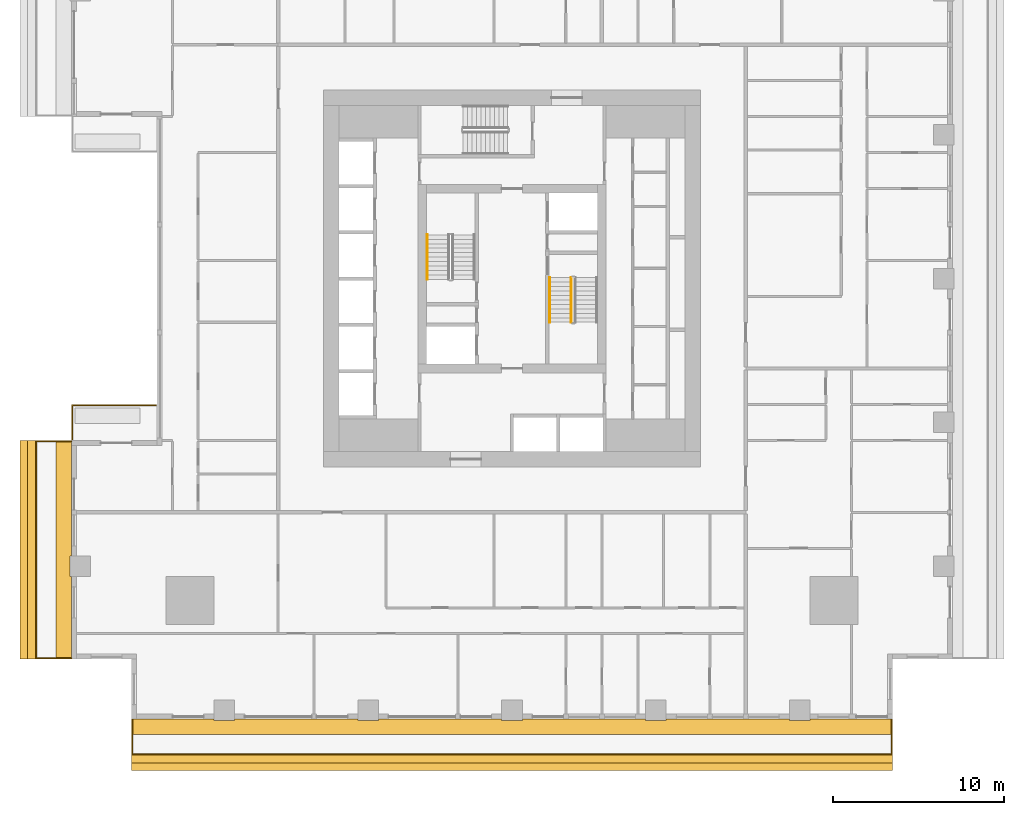
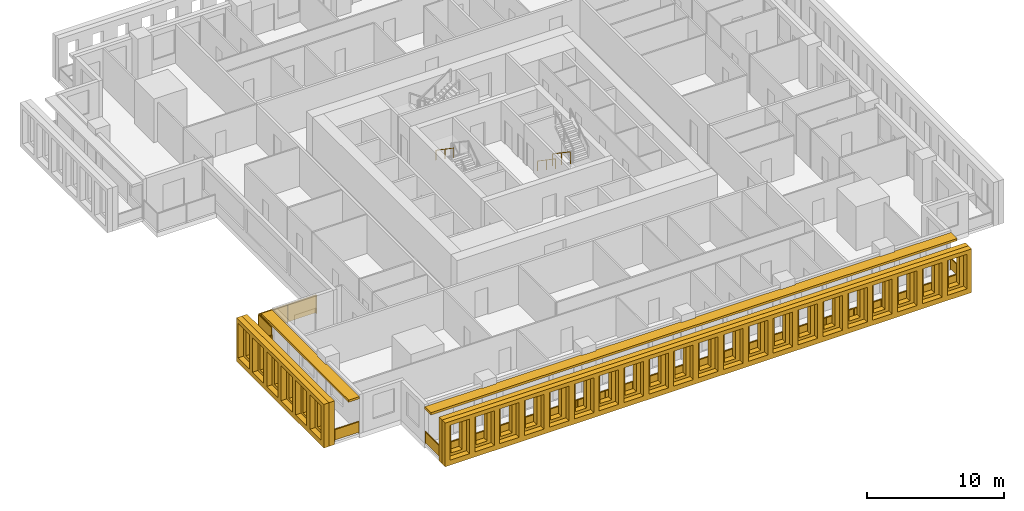
# One storey, part 10 of 14: 6 railings, 6 shading devices.
"""IFC4 building model written with IfcOpenShell, lengths in metres."""

from ifc_helpers import new_model, si_unit, direction, frame, origin, origin_2d, place, context, subcontext, project, spatial, polyline, rectangle, outline, extrude, material, layer, layer_set, type_object, element, save


model = new_model("IFC4")

# Units and contexts
model_context = context("Model", 3, precision=1e-05, world=origin(), true_north=direction((0.0, 1.0)))
body_context = subcontext(model_context, "Body", "Model", "MODEL_VIEW")
ifc_project = project(units=[si_unit("LENGTHUNIT", "METRE"), si_unit("AREAUNIT", "SQUARE_METRE"), si_unit("VOLUMEUNIT", "CUBIC_METRE"), si_unit("PLANEANGLEUNIT", "RADIAN"), si_unit("MASSUNIT", "GRAM", prefix="KILO")], contexts=[model_context])

# Site, building, storey
site_placement = place(None, origin())
site = spatial("IfcSite", under=ifc_project, at=site_placement, CompositionType="ELEMENT")
building_placement = place(site_placement, origin())
building = spatial("IfcBuilding", under=site, at=building_placement, Name="Khepri Terraces", CompositionType="ELEMENT")
storey_placement = place(building_placement, frame((0.0, 0.0, 102.60009765625)))
storey = spatial("IfcBuildingStorey", under=building, at=storey_placement, Name="L24", CompositionType="ELEMENT", Elevation=102.60009765625)

# Railings
ifc_material_1 = material(Name="Stainless steel grade 316", Category="steel")
railing_type_1 = type_object("IfcRailingType", Name="GRD-BAL-1100", PredefinedType="GUARDRAIL", material=ifc_material_1)
railing_1_placement = place(storey_placement, frame((-22.169921875, -25.719970703125, 0.0)))
element("IfcRailing", 1, at=railing_1_placement, inside=storey, type_object=railing_type_1, Name="Balcony guard L24 S", PredefinedType="GUARDRAIL", context=body_context, shape_type="SweptSolid", body=[
    extrude(rectangle(XDim=0.050048828125, YDim=0.06005859375, at=origin_2d()), frame((0.0, 0.0, 1.070068359375), z_axis=(0.0, -1.0, 0.0), x_axis=(1.0, 0.0, 0.0)), (0.0, 0.0, 1.0), 2.050048828125),
    extrude(rectangle(XDim=2.0, YDim=0.011962890625, at=origin_2d()), frame((0.0, -1.02490234375, 0.10009765625), z_axis=(0.0, 0.0, 1.0), x_axis=(0.0, -1.0, 0.0)), (0.0, 0.0, 1.0), 0.93994140625),
    extrude(rectangle(XDim=0.050048828125, YDim=0.06005859375, at=origin_2d()), frame((0.0, -2.050048828125, 1.070068359375), z_axis=(1.0, 0.0, 0.0), x_axis=(0.0, 1.0, 0.0)), (0.0, 0.0, 1.0), 44.33984375),
    extrude(rectangle(XDim=2.28369140625, YDim=0.011962890625, at=origin_2d()), frame((1.166748046875, -2.050048828125, 0.10009765625), z_axis=(0.0, 0.0, 1.0), x_axis=(1.0, 0.0, 0.0)), (0.0, 0.0, 1.0), 0.93994140625),
    extrude(rectangle(XDim=2.28369140625, YDim=0.011962890625, at=origin_2d()), frame((3.50048828125, -2.050048828125, 0.10009765625), z_axis=(0.0, 0.0, 1.0), x_axis=(1.0, 0.0, 0.0)), (0.0, 0.0, 1.0), 0.93994140625),
    extrude(rectangle(XDim=2.28369140625, YDim=0.011962890625, at=origin_2d()), frame((5.834228515625, -2.050048828125, 0.10009765625), z_axis=(0.0, 0.0, 1.0), x_axis=(1.0, 0.0, 0.0)), (0.0, 0.0, 1.0), 0.93994140625),
    extrude(rectangle(XDim=2.28369140625, YDim=0.011962890625, at=origin_2d()), frame((8.16796875, -2.050048828125, 0.10009765625), z_axis=(0.0, 0.0, 1.0), x_axis=(1.0, 0.0, 0.0)), (0.0, 0.0, 1.0), 0.93994140625),
    extrude(rectangle(XDim=2.28369140625, YDim=0.011962890625, at=origin_2d()), frame((10.50146484375, -2.050048828125, 0.10009765625), z_axis=(0.0, 0.0, 1.0), x_axis=(1.0, 0.0, 0.0)), (0.0, 0.0, 1.0), 0.93994140625),
    extrude(rectangle(XDim=2.28369140625, YDim=0.011962890625, at=origin_2d()), frame((12.835205078125, -2.050048828125, 0.10009765625), z_axis=(0.0, 0.0, 1.0), x_axis=(1.0, 0.0, 0.0)), (0.0, 0.0, 1.0), 0.93994140625),
    extrude(rectangle(XDim=2.28369140625, YDim=0.011962890625, at=origin_2d()), frame((15.1689453125, -2.050048828125, 0.10009765625), z_axis=(0.0, 0.0, 1.0), x_axis=(1.0, 0.0, 0.0)), (0.0, 0.0, 1.0), 0.93994140625),
    extrude(rectangle(XDim=2.28369140625, YDim=0.011962890625, at=origin_2d()), frame((17.502685546875, -2.050048828125, 0.10009765625), z_axis=(0.0, 0.0, 1.0), x_axis=(1.0, 0.0, 0.0)), (0.0, 0.0, 1.0), 0.93994140625),
    extrude(rectangle(XDim=2.28369140625, YDim=0.011962890625, at=origin_2d()), frame((19.836181640625, -2.050048828125, 0.10009765625), z_axis=(0.0, 0.0, 1.0), x_axis=(1.0, 0.0, 0.0)), (0.0, 0.0, 1.0), 0.93994140625),
    extrude(rectangle(XDim=2.28369140625, YDim=0.011962890625, at=origin_2d()), frame((22.169921875, -2.050048828125, 0.10009765625), z_axis=(0.0, 0.0, 1.0), x_axis=(1.0, 0.0, 0.0)), (0.0, 0.0, 1.0), 0.93994140625),
    extrude(rectangle(XDim=2.28369140625, YDim=0.011962890625, at=origin_2d()), frame((24.503662109375, -2.050048828125, 0.10009765625), z_axis=(0.0, 0.0, 1.0), x_axis=(1.0, 0.0, 0.0)), (0.0, 0.0, 1.0), 0.93994140625),
    extrude(rectangle(XDim=2.28369140625, YDim=0.011962890625, at=origin_2d()), frame((26.837158203125, -2.050048828125, 0.10009765625), z_axis=(0.0, 0.0, 1.0), x_axis=(1.0, 0.0, 0.0)), (0.0, 0.0, 1.0), 0.93994140625),
    extrude(rectangle(XDim=2.28369140625, YDim=0.011962890625, at=origin_2d()), frame((29.1708984375, -2.050048828125, 0.10009765625), z_axis=(0.0, 0.0, 1.0), x_axis=(1.0, 0.0, 0.0)), (0.0, 0.0, 1.0), 0.93994140625),
    extrude(rectangle(XDim=2.28369140625, YDim=0.011962890625, at=origin_2d()), frame((31.504638671875, -2.050048828125, 0.10009765625), z_axis=(0.0, 0.0, 1.0), x_axis=(1.0, 0.0, 0.0)), (0.0, 0.0, 1.0), 0.93994140625),
    extrude(rectangle(XDim=2.28369140625, YDim=0.011962890625, at=origin_2d()), frame((33.83837890625, -2.050048828125, 0.10009765625), z_axis=(0.0, 0.0, 1.0), x_axis=(1.0, 0.0, 0.0)), (0.0, 0.0, 1.0), 0.93994140625),
    extrude(rectangle(XDim=2.28369140625, YDim=0.011962890625, at=origin_2d()), frame((36.171875, -2.050048828125, 0.10009765625), z_axis=(0.0, 0.0, 1.0), x_axis=(1.0, 0.0, 0.0)), (0.0, 0.0, 1.0), 0.93994140625),
    extrude(rectangle(XDim=2.28369140625, YDim=0.011962890625, at=origin_2d()), frame((38.505615234375, -2.050048828125, 0.10009765625), z_axis=(0.0, 0.0, 1.0), x_axis=(1.0, 0.0, 0.0)), (0.0, 0.0, 1.0), 0.93994140625),
    extrude(rectangle(XDim=2.28369140625, YDim=0.011962890625, at=origin_2d()), frame((40.83935546875, -2.050048828125, 0.10009765625), z_axis=(0.0, 0.0, 1.0), x_axis=(1.0, 0.0, 0.0)), (0.0, 0.0, 1.0), 0.93994140625),
    extrude(rectangle(XDim=2.28369140625, YDim=0.011962890625, at=origin_2d()), frame((43.173095703125, -2.050048828125, 0.10009765625), z_axis=(0.0, 0.0, 1.0), x_axis=(1.0, 0.0, 0.0)), (0.0, 0.0, 1.0), 0.93994140625),
    extrude(rectangle(XDim=0.050048828125, YDim=0.06005859375, at=origin_2d()), frame((44.33984375, -2.050048828125, 1.070068359375), z_axis=(0.0, 1.0, 0.0), x_axis=(-1.0, 0.0, 0.0)), (0.0, 0.0, 1.0), 2.050048828125),
    extrude(rectangle(XDim=2.0, YDim=0.011962890625, at=origin_2d()), frame((44.33984375, -1.02490234375, 0.10009765625), z_axis=(0.0, 0.0, 1.0), x_axis=(0.0, 1.0, 0.0)), (0.0, 0.0, 1.0), 0.93994140625),
    extrude(rectangle(XDim=0.050048828125, YDim=0.050048828125, at=origin_2d()), origin(), (0.0, 0.0, 1.0), 1.0400390625),
    extrude(rectangle(XDim=0.050048828125, YDim=0.050048828125, at=origin_2d()), frame((0.0, -2.050048828125, 0.0)), (0.0, 0.0, 1.0), 1.0400390625),
    extrude(rectangle(XDim=0.050048828125, YDim=0.050048828125, at=origin_2d()), frame((2.333740234375, -2.050048828125, 0.0)), (0.0, 0.0, 1.0), 1.0400390625),
    extrude(rectangle(XDim=0.050048828125, YDim=0.050048828125, at=origin_2d()), frame((4.667236328125, -2.050048828125, 0.0)), (0.0, 0.0, 1.0), 1.0400390625),
    extrude(rectangle(XDim=0.050048828125, YDim=0.050048828125, at=origin_2d()), frame((7.0009765625, -2.050048828125, 0.0)), (0.0, 0.0, 1.0), 1.0400390625),
    extrude(rectangle(XDim=0.050048828125, YDim=0.050048828125, at=origin_2d()), frame((9.334716796875, -2.050048828125, 0.0)), (0.0, 0.0, 1.0), 1.0400390625),
    extrude(rectangle(XDim=0.050048828125, YDim=0.050048828125, at=origin_2d()), frame((11.66845703125, -2.050048828125, 0.0)), (0.0, 0.0, 1.0), 1.0400390625),
    extrude(rectangle(XDim=0.050048828125, YDim=0.050048828125, at=origin_2d()), frame((14.001953125, -2.050048828125, 0.0)), (0.0, 0.0, 1.0), 1.0400390625),
    extrude(rectangle(XDim=0.050048828125, YDim=0.050048828125, at=origin_2d()), frame((16.335693359375, -2.050048828125, 0.0)), (0.0, 0.0, 1.0), 1.0400390625),
    extrude(rectangle(XDim=0.050048828125, YDim=0.050048828125, at=origin_2d()), frame((18.66943359375, -2.050048828125, 0.0)), (0.0, 0.0, 1.0), 1.0400390625),
    extrude(rectangle(XDim=0.050048828125, YDim=0.050048828125, at=origin_2d()), frame((21.003173828125, -2.050048828125, 0.0)), (0.0, 0.0, 1.0), 1.0400390625),
    extrude(rectangle(XDim=0.050048828125, YDim=0.050048828125, at=origin_2d()), frame((23.336669921875, -2.050048828125, 0.0)), (0.0, 0.0, 1.0), 1.0400390625),
    extrude(rectangle(XDim=0.050048828125, YDim=0.050048828125, at=origin_2d()), frame((25.67041015625, -2.050048828125, 0.0)), (0.0, 0.0, 1.0), 1.0400390625),
    extrude(rectangle(XDim=0.050048828125, YDim=0.050048828125, at=origin_2d()), frame((28.004150390625, -2.050048828125, 0.0)), (0.0, 0.0, 1.0), 1.0400390625),
    extrude(rectangle(XDim=0.050048828125, YDim=0.050048828125, at=origin_2d()), frame((30.337890625, -2.050048828125, 0.0)), (0.0, 0.0, 1.0), 1.0400390625),
    extrude(rectangle(XDim=0.050048828125, YDim=0.050048828125, at=origin_2d()), frame((32.67138671875, -2.050048828125, 0.0)), (0.0, 0.0, 1.0), 1.0400390625),
    extrude(rectangle(XDim=0.050048828125, YDim=0.050048828125, at=origin_2d()), frame((35.005126953125, -2.050048828125, 0.0)), (0.0, 0.0, 1.0), 1.0400390625),
    extrude(rectangle(XDim=0.050048828125, YDim=0.050048828125, at=origin_2d()), frame((37.3388671875, -2.050048828125, 0.0)), (0.0, 0.0, 1.0), 1.0400390625),
    extrude(rectangle(XDim=0.050048828125, YDim=0.050048828125, at=origin_2d()), frame((39.672607421875, -2.050048828125, 0.0)), (0.0, 0.0, 1.0), 1.0400390625),
    extrude(rectangle(XDim=0.050048828125, YDim=0.050048828125, at=origin_2d()), frame((42.006103515625, -2.050048828125, 0.0)), (0.0, 0.0, 1.0), 1.0400390625),
    extrude(rectangle(XDim=0.050048828125, YDim=0.050048828125, at=origin_2d()), frame((44.33984375, -2.050048828125, 0.0)), (0.0, 0.0, 1.0), 1.0400390625),
    extrude(rectangle(XDim=0.050048828125, YDim=0.050048828125, at=origin_2d()), frame((44.33984375, 0.0, 0.0)), (0.0, 0.0, 1.0), 1.0400390625),
])
railing_2_placement = place(storey_placement, frame((-25.719970703125, -9.5, 0.0)))
element("IfcRailing", 2, at=railing_2_placement, inside=storey, type_object=railing_type_1, Name="Balcony guard L24 W", PredefinedType="GUARDRAIL", context=body_context, shape_type="SweptSolid", body=[
    extrude(rectangle(XDim=0.050048828125, YDim=0.06005859375, at=origin_2d()), frame((0.0, 0.0, 1.070068359375), z_axis=(-1.0, 0.0, 0.0), x_axis=(0.0, -1.0, 0.0)), (0.0, 0.0, 1.0), 2.050048828125),
    extrude(rectangle(XDim=2.0, YDim=0.011962890625, at=origin_2d()), frame((-1.02490234375, 0.0, 0.10009765625), z_axis=(0.0, 0.0, 1.0), x_axis=(-1.0, 0.0, 0.0)), (0.0, 0.0, 1.0), 0.93994140625),
    extrude(rectangle(XDim=0.050048828125, YDim=0.06005859375, at=origin_2d()), frame((-2.050048828125, 0.0, 1.070068359375), z_axis=(0.0, -1.0, 0.0), x_axis=(1.0, 0.0, 0.0)), (0.0, 0.0, 1.0), 12.669921875),
    extrude(rectangle(XDim=2.0615234375, YDim=0.011962890625, at=origin_2d()), frame((-2.050048828125, -1.055908203125, 0.10009765625), z_axis=(0.0, 0.0, 1.0), x_axis=(0.0, -1.0, 0.0)), (0.0, 0.0, 1.0), 0.93994140625),
    extrude(rectangle(XDim=2.0615234375, YDim=0.011962890625, at=origin_2d()), frame((-2.050048828125, -3.16748046875, 0.10009765625), z_axis=(0.0, 0.0, 1.0), x_axis=(0.0, -1.0, 0.0)), (0.0, 0.0, 1.0), 0.93994140625),
    extrude(rectangle(XDim=2.0615234375, YDim=0.011962890625, at=origin_2d()), frame((-2.050048828125, -5.279052734375, 0.10009765625), z_axis=(0.0, 0.0, 1.0), x_axis=(0.0, -1.0, 0.0)), (0.0, 0.0, 1.0), 0.93994140625),
    extrude(rectangle(XDim=2.0615234375, YDim=0.011962890625, at=origin_2d()), frame((-2.050048828125, -7.390869140625, 0.10009765625), z_axis=(0.0, 0.0, 1.0), x_axis=(0.0, -1.0, 0.0)), (0.0, 0.0, 1.0), 0.93994140625),
    extrude(rectangle(XDim=2.0615234375, YDim=0.011962890625, at=origin_2d()), frame((-2.050048828125, -9.50244140625, 0.10009765625), z_axis=(0.0, 0.0, 1.0), x_axis=(0.0, -1.0, 0.0)), (0.0, 0.0, 1.0), 0.93994140625),
    extrude(rectangle(XDim=2.0615234375, YDim=0.011962890625, at=origin_2d()), frame((-2.050048828125, -11.614013671875, 0.10009765625), z_axis=(0.0, 0.0, 1.0), x_axis=(0.0, -1.0, 0.0)), (0.0, 0.0, 1.0), 0.93994140625),
    extrude(rectangle(XDim=0.050048828125, YDim=0.06005859375, at=origin_2d()), frame((-2.050048828125, -12.669921875, 1.070068359375), z_axis=(1.0, 0.0, 0.0), x_axis=(0.0, 1.0, 0.0)), (0.0, 0.0, 1.0), 2.050048828125),
    extrude(rectangle(XDim=2.0, YDim=0.011962890625, at=origin_2d()), frame((-1.02490234375, -12.669921875, 0.10009765625), z_axis=(0.0, 0.0, 1.0), x_axis=(1.0, 0.0, 0.0)), (0.0, 0.0, 1.0), 0.93994140625),
    extrude(rectangle(XDim=0.050048828125, YDim=0.050048828125, at=origin_2d()), origin(), (0.0, 0.0, 1.0), 1.0400390625),
    extrude(rectangle(XDim=0.050048828125, YDim=0.050048828125, at=origin_2d()), frame((-2.050048828125, 0.0, 0.0)), (0.0, 0.0, 1.0), 1.0400390625),
    extrude(rectangle(XDim=0.050048828125, YDim=0.050048828125, at=origin_2d()), frame((-2.050048828125, -2.111572265625, 0.0)), (0.0, 0.0, 1.0), 1.0400390625),
    extrude(rectangle(XDim=0.050048828125, YDim=0.050048828125, at=origin_2d()), frame((-2.050048828125, -4.223388671875, 0.0)), (0.0, 0.0, 1.0), 1.0400390625),
    extrude(rectangle(XDim=0.050048828125, YDim=0.050048828125, at=origin_2d()), frame((-2.050048828125, -6.3349609375, 0.0)), (0.0, 0.0, 1.0), 1.0400390625),
    extrude(rectangle(XDim=0.050048828125, YDim=0.050048828125, at=origin_2d()), frame((-2.050048828125, -8.446533203125, 0.0)), (0.0, 0.0, 1.0), 1.0400390625),
    extrude(rectangle(XDim=0.050048828125, YDim=0.050048828125, at=origin_2d()), frame((-2.050048828125, -10.558349609375, 0.0)), (0.0, 0.0, 1.0), 1.0400390625),
    extrude(rectangle(XDim=0.050048828125, YDim=0.050048828125, at=origin_2d()), frame((-2.050048828125, -12.669921875, 0.0)), (0.0, 0.0, 1.0), 1.0400390625),
    extrude(rectangle(XDim=0.050048828125, YDim=0.050048828125, at=origin_2d()), frame((0.0, -12.669921875, 0.0)), (0.0, 0.0, 1.0), 1.0400390625),
])
railing_type_2 = type_object("IfcRailingType", Name="GRD-TERR-1700", PredefinedType="GUARDRAIL", material=ifc_material_1)
railing_3_placement = place(storey_placement, frame((-25.669921875, -9.3798828125, 0.0)))
element("IfcRailing", 3, at=railing_3_placement, inside=storey, type_object=railing_type_2, Name="Terrace guard L24", PredefinedType="GUARDRAIL", context=body_context, shape_type="SweptSolid", body=[
    extrude(rectangle(XDim=0.050048828125, YDim=0.06005859375, at=origin_2d()), frame((0.0, 0.0, 1.669921875), z_axis=(0.0, 1.0, 0.0), x_axis=(-1.0, 0.0, 0.0)), (0.0, 0.0, 1.0), 1.97998046875),
    extrude(rectangle(XDim=1.929931640625, YDim=0.011962890625, at=origin_2d()), frame((0.0, 0.989990234375, 0.10009765625), z_axis=(0.0, 0.0, 1.0), x_axis=(0.0, 1.0, 0.0)), (0.0, 0.0, 1.0), 1.539794921875),
    extrude(rectangle(XDim=0.050048828125, YDim=0.06005859375, at=origin_2d()), frame((0.0, 1.97998046875, 1.669921875), z_axis=(1.0, 0.0, 0.0), x_axis=(0.0, 1.0, 0.0)), (0.0, 0.0, 1.0), 4.8798828125),
    extrude(rectangle(XDim=2.389892578125, YDim=0.011962890625, at=origin_2d()), frame((1.219970703125, 1.97998046875, 0.10009765625), z_axis=(0.0, 0.0, 1.0), x_axis=(1.0, 0.0, 0.0)), (0.0, 0.0, 1.0), 1.539794921875),
    extrude(rectangle(XDim=2.389892578125, YDim=0.011962890625, at=origin_2d()), frame((3.659912109375, 1.97998046875, 0.10009765625), z_axis=(0.0, 0.0, 1.0), x_axis=(1.0, 0.0, 0.0)), (0.0, 0.0, 1.0), 1.539794921875),
    extrude(rectangle(XDim=0.050048828125, YDim=0.050048828125, at=origin_2d()), origin(), (0.0, 0.0, 1.0), 1.639892578125),
    extrude(rectangle(XDim=0.050048828125, YDim=0.050048828125, at=origin_2d()), frame((0.0, 1.97998046875, 0.0)), (0.0, 0.0, 1.0), 1.639892578125),
    extrude(rectangle(XDim=0.050048828125, YDim=0.050048828125, at=origin_2d()), frame((2.43994140625, 1.97998046875, 0.0)), (0.0, 0.0, 1.0), 1.639892578125),
    extrude(rectangle(XDim=0.050048828125, YDim=0.050048828125, at=origin_2d()), frame((4.8798828125, 1.97998046875, 0.0)), (0.0, 0.0, 1.0), 1.639892578125),
])
ifc_material_2 = material(Name="Stainless steel 316", Category="steel")
railing_type_3 = type_object("IfcRailingType", Name="RL-CORE-GUARD", PredefinedType="GUARDRAIL", material=ifc_material_2)
railing_4_placement = place(storey_placement, frame((3.449951171875, 0.050048828125, 0.17724609375)))
element("IfcRailing", 4, at=railing_4_placement, inside=storey, type_object=railing_type_3, Name="L24 ST-2 stair guard 1", PredefinedType="GUARDRAIL", context=body_context, shape_type="SweptSolid", body=[
    extrude(rectangle(XDim=0.050048828125, YDim=0.06005859375, at=origin_2d()), frame((0.0, 0.0, 1.070068359375), z_axis=(0.0, -0.826240473404, 0.563317565952), x_axis=(1.0, 0.0, 0.0)), (0.0, 0.0, 1.0), 3.14697265625),
    extrude(rectangle(XDim=0.050048828125, YDim=0.050048828125, at=origin_2d()), origin(), (0.0, 0.0, 1.0), 1.0400390625),
    extrude(rectangle(XDim=0.050048828125, YDim=0.050048828125, at=origin_2d()), frame((0.0, -1.300048828125, 0.88623046875)), (0.0, 0.0, 1.0), 1.0400390625),
    extrude(rectangle(XDim=0.050048828125, YDim=0.050048828125, at=origin_2d()), frame((0.0, -2.60009765625, 1.772705078125)), (0.0, 0.0, 1.0), 1.0400390625),
])
railing_type_4 = type_object("IfcRailingType", Name="RL-CORE-HANDRAIL", PredefinedType="HANDRAIL", material=ifc_material_2)
for number, where, name in (
    (5, (-4.949951171875, 2.550048828125, 2.127197265625), "L24 ST-1 stair handrail 2"),
    (6, (2.199951171875, 0.050048828125, 0.17724609375), "L24 ST-2 stair handrail 1"),
):
    element("IfcRailing", number, at=place(storey_placement, frame(where)), inside=storey, type_object=railing_type_4, Name=name, PredefinedType="HANDRAIL", context=body_context, shape_type="SweptSolid", body=[
        extrude(rectangle(XDim=0.050048828125, YDim=0.050048828125, at=origin_2d()), frame((0.0, 0.0, 0.875), z_axis=(0.0, -0.826240473404, 0.563317565952), x_axis=(1.0, 0.0, 0.0)), (0.0, 0.0, 1.0), 3.14697265625),
        extrude(rectangle(XDim=0.050048828125, YDim=0.050048828125, at=origin_2d()), origin(), (0.0, 0.0, 1.0), 0.849853515625),
        extrude(rectangle(XDim=0.050048828125, YDim=0.050048828125, at=origin_2d()), frame((0.0, -1.300048828125, 0.88623046875)), (0.0, 0.0, 1.0), 0.849853515625),
        extrude(rectangle(XDim=0.050048828125, YDim=0.050048828125, at=origin_2d()), frame((0.0, -2.60009765625, 1.772705078125)), (0.0, 0.0, 1.0), 0.849853515625),
    ])

# Shading devices
ifc_material_3 = material(Name="Precast concrete C50/60 warm stone", Category="masonry")
shading_device_type_1 = type_object("IfcShadingDeviceType", Name="SCR-CELL-INNER-450", PredefinedType="USERDEFINED", material=ifc_material_3)
shading_device_1_placement = place(storey_placement, frame((-22.219970703125, -27.820068359375, -0.25), z_axis=(0.0, -1.0, 0.0), x_axis=(1.0, 0.0, 0.0)))
element("IfcShadingDevice", 7, at=shading_device_1_placement, inside=storey, type_object=shading_device_type_1, Name="Cell screen L24 S in", ObjectType="SCREEN", PredefinedType="USERDEFINED", context=body_context, shape_type="SweptSolid", body=[
    extrude(outline(polyline([(0.0, 0.0), (44.43994140625, 0.0), (44.43994140625, 3.89990234375), (0.0, 3.89990234375), (0.0, 0.0)]), holes=[polyline([(0.74755859375, 0.699951171875), (1.6923828125, 0.699951171875), (1.6923828125, 3.300048828125), (0.74755859375, 3.300048828125), (0.74755859375, 0.699951171875)]), polyline([(2.847412109375, 0.699951171875), (3.79248046875, 0.699951171875), (3.79248046875, 3.300048828125), (2.847412109375, 3.300048828125), (2.847412109375, 0.699951171875)]), polyline([(4.947509765625, 0.699951171875), (5.892578125, 0.699951171875), (5.892578125, 3.300048828125), (4.947509765625, 3.300048828125), (4.947509765625, 0.699951171875)]), polyline([(7.047607421875, 0.699951171875), (7.992431640625, 0.699951171875), (7.992431640625, 3.300048828125), (7.047607421875, 3.300048828125), (7.047607421875, 0.699951171875)]), polyline([(9.1474609375, 0.699951171875), (10.092529296875, 0.699951171875), (10.092529296875, 3.300048828125), (9.1474609375, 3.300048828125), (9.1474609375, 0.699951171875)]), polyline([(11.24755859375, 0.699951171875), (12.1923828125, 0.699951171875), (12.1923828125, 3.300048828125), (11.24755859375, 3.300048828125), (11.24755859375, 0.699951171875)]), polyline([(13.347412109375, 0.699951171875), (14.29248046875, 0.699951171875), (14.29248046875, 3.300048828125), (13.347412109375, 3.300048828125), (13.347412109375, 0.699951171875)]), polyline([(15.447509765625, 0.699951171875), (16.392578125, 0.699951171875), (16.392578125, 3.300048828125), (15.447509765625, 3.300048828125), (15.447509765625, 0.699951171875)]), polyline([(17.547607421875, 0.699951171875), (18.492431640625, 0.699951171875), (18.492431640625, 3.300048828125), (17.547607421875, 3.300048828125), (17.547607421875, 0.699951171875)]), polyline([(19.6474609375, 0.699951171875), (20.592529296875, 0.699951171875), (20.592529296875, 3.300048828125), (19.6474609375, 3.300048828125), (19.6474609375, 0.699951171875)]), polyline([(21.74755859375, 0.699951171875), (22.6923828125, 0.699951171875), (22.6923828125, 3.300048828125), (21.74755859375, 3.300048828125), (21.74755859375, 0.699951171875)]), polyline([(23.847412109375, 0.699951171875), (24.79248046875, 0.699951171875), (24.79248046875, 3.300048828125), (23.847412109375, 3.300048828125), (23.847412109375, 0.699951171875)]), polyline([(25.947509765625, 0.699951171875), (26.892578125, 0.699951171875), (26.892578125, 3.300048828125), (25.947509765625, 3.300048828125), (25.947509765625, 0.699951171875)]), polyline([(28.047607421875, 0.699951171875), (28.992431640625, 0.699951171875), (28.992431640625, 3.300048828125), (28.047607421875, 3.300048828125), (28.047607421875, 0.699951171875)]), polyline([(30.1474609375, 0.699951171875), (31.092529296875, 0.699951171875), (31.092529296875, 3.300048828125), (30.1474609375, 3.300048828125), (30.1474609375, 0.699951171875)]), polyline([(32.24755859375, 0.699951171875), (33.1923828125, 0.699951171875), (33.1923828125, 3.300048828125), (32.24755859375, 3.300048828125), (32.24755859375, 0.699951171875)]), polyline([(34.347412109375, 0.699951171875), (35.29248046875, 0.699951171875), (35.29248046875, 3.300048828125), (34.347412109375, 3.300048828125), (34.347412109375, 0.699951171875)]), polyline([(36.447509765625, 0.699951171875), (37.392578125, 0.699951171875), (37.392578125, 3.300048828125), (36.447509765625, 3.300048828125), (36.447509765625, 0.699951171875)]), polyline([(38.547607421875, 0.699951171875), (39.492431640625, 0.699951171875), (39.492431640625, 3.300048828125), (38.547607421875, 3.300048828125), (38.547607421875, 0.699951171875)]), polyline([(40.6474609375, 0.699951171875), (41.592529296875, 0.699951171875), (41.592529296875, 3.300048828125), (40.6474609375, 3.300048828125), (40.6474609375, 0.699951171875)]), polyline([(42.74755859375, 0.699951171875), (43.6923828125, 0.699951171875), (43.6923828125, 3.300048828125), (42.74755859375, 3.300048828125), (42.74755859375, 0.699951171875)])]), origin(), (0.0, 0.0, 1.0), 0.449951171875),
])
shading_device_2_placement = place(storey_placement, frame((-27.820068359375, -9.449951171875, -0.25), z_axis=(-1.0, 0.0, 0.0), x_axis=(0.0, -1.0, 0.0)))
element("IfcShadingDevice", 8, at=shading_device_2_placement, inside=storey, type_object=shading_device_type_1, Name="Cell screen L24 W in", ObjectType="SCREEN", PredefinedType="USERDEFINED", context=body_context, shape_type="SweptSolid", body=[
    extrude(outline(polyline([(0.0, 0.0), (12.77001953125, 0.0), (12.77001953125, 3.89990234375), (0.0, 3.89990234375), (0.0, 0.0)]), holes=[polyline([(0.577392578125, 0.699951171875), (1.5224609375, 0.699951171875), (1.5224609375, 3.300048828125), (0.577392578125, 3.300048828125), (0.577392578125, 0.699951171875)]), polyline([(2.677490234375, 0.699951171875), (3.62255859375, 0.699951171875), (3.62255859375, 3.300048828125), (2.677490234375, 3.300048828125), (2.677490234375, 0.699951171875)]), polyline([(4.777587890625, 0.699951171875), (5.722412109375, 0.699951171875), (5.722412109375, 3.300048828125), (4.777587890625, 3.300048828125), (4.777587890625, 0.699951171875)]), polyline([(6.87744140625, 0.699951171875), (7.822509765625, 0.699951171875), (7.822509765625, 3.300048828125), (6.87744140625, 3.300048828125), (6.87744140625, 0.699951171875)]), polyline([(8.9775390625, 0.699951171875), (9.922607421875, 0.699951171875), (9.922607421875, 3.300048828125), (8.9775390625, 3.300048828125), (8.9775390625, 0.699951171875)]), polyline([(11.077392578125, 0.699951171875), (12.0224609375, 0.699951171875), (12.0224609375, 3.300048828125), (11.077392578125, 3.300048828125), (11.077392578125, 0.699951171875)])]), origin(), (0.0, 0.0, 1.0), 0.449951171875),
])
shading_device_type_2 = type_object("IfcShadingDeviceType", Name="SCR-CELL-OUTER-450", PredefinedType="USERDEFINED", material=ifc_material_3)
shading_device_3_placement = place(storey_placement, frame((-22.219970703125, -28.27001953125, -0.25), z_axis=(0.0, -1.0, 0.0), x_axis=(1.0, 0.0, 0.0)))
element("IfcShadingDevice", 9, at=shading_device_3_placement, inside=storey, type_object=shading_device_type_2, Name="Cell screen L24 S out", ObjectType="SCREEN", PredefinedType="USERDEFINED", context=body_context, shape_type="SweptSolid", body=[
    extrude(outline(polyline([(0.0, 0.0), (44.43994140625, 0.0), (44.43994140625, 3.89990234375), (0.0, 3.89990234375), (0.0, 0.0)]), holes=[polyline([(0.3974609375, 0.449951171875), (2.04248046875, 0.449951171875), (2.04248046875, 3.550048828125), (0.3974609375, 3.550048828125), (0.3974609375, 0.449951171875)]), polyline([(2.49755859375, 0.449951171875), (4.142578125, 0.449951171875), (4.142578125, 3.550048828125), (2.49755859375, 3.550048828125), (2.49755859375, 0.449951171875)]), polyline([(4.597412109375, 0.449951171875), (6.242431640625, 0.449951171875), (6.242431640625, 3.550048828125), (4.597412109375, 3.550048828125), (4.597412109375, 0.449951171875)]), polyline([(6.697509765625, 0.449951171875), (8.342529296875, 0.449951171875), (8.342529296875, 3.550048828125), (6.697509765625, 3.550048828125), (6.697509765625, 0.449951171875)]), polyline([(8.797607421875, 0.449951171875), (10.4423828125, 0.449951171875), (10.4423828125, 3.550048828125), (8.797607421875, 3.550048828125), (8.797607421875, 0.449951171875)]), polyline([(10.8974609375, 0.449951171875), (12.54248046875, 0.449951171875), (12.54248046875, 3.550048828125), (10.8974609375, 3.550048828125), (10.8974609375, 0.449951171875)]), polyline([(12.99755859375, 0.449951171875), (14.642578125, 0.449951171875), (14.642578125, 3.550048828125), (12.99755859375, 3.550048828125), (12.99755859375, 0.449951171875)]), polyline([(15.097412109375, 0.449951171875), (16.742431640625, 0.449951171875), (16.742431640625, 3.550048828125), (15.097412109375, 3.550048828125), (15.097412109375, 0.449951171875)]), polyline([(17.197509765625, 0.449951171875), (18.842529296875, 0.449951171875), (18.842529296875, 3.550048828125), (17.197509765625, 3.550048828125), (17.197509765625, 0.449951171875)]), polyline([(19.297607421875, 0.449951171875), (20.9423828125, 0.449951171875), (20.9423828125, 3.550048828125), (19.297607421875, 3.550048828125), (19.297607421875, 0.449951171875)]), polyline([(21.3974609375, 0.449951171875), (23.04248046875, 0.449951171875), (23.04248046875, 3.550048828125), (21.3974609375, 3.550048828125), (21.3974609375, 0.449951171875)]), polyline([(23.49755859375, 0.449951171875), (25.142578125, 0.449951171875), (25.142578125, 3.550048828125), (23.49755859375, 3.550048828125), (23.49755859375, 0.449951171875)]), polyline([(25.597412109375, 0.449951171875), (27.242431640625, 0.449951171875), (27.242431640625, 3.550048828125), (25.597412109375, 3.550048828125), (25.597412109375, 0.449951171875)]), polyline([(27.697509765625, 0.449951171875), (29.342529296875, 0.449951171875), (29.342529296875, 3.550048828125), (27.697509765625, 3.550048828125), (27.697509765625, 0.449951171875)]), polyline([(29.797607421875, 0.449951171875), (31.4423828125, 0.449951171875), (31.4423828125, 3.550048828125), (29.797607421875, 3.550048828125), (29.797607421875, 0.449951171875)]), polyline([(31.8974609375, 0.449951171875), (33.54248046875, 0.449951171875), (33.54248046875, 3.550048828125), (31.8974609375, 3.550048828125), (31.8974609375, 0.449951171875)]), polyline([(33.99755859375, 0.449951171875), (35.642578125, 0.449951171875), (35.642578125, 3.550048828125), (33.99755859375, 3.550048828125), (33.99755859375, 0.449951171875)]), polyline([(36.097412109375, 0.449951171875), (37.742431640625, 0.449951171875), (37.742431640625, 3.550048828125), (36.097412109375, 3.550048828125), (36.097412109375, 0.449951171875)]), polyline([(38.197509765625, 0.449951171875), (39.842529296875, 0.449951171875), (39.842529296875, 3.550048828125), (38.197509765625, 3.550048828125), (38.197509765625, 0.449951171875)]), polyline([(40.297607421875, 0.449951171875), (41.9423828125, 0.449951171875), (41.9423828125, 3.550048828125), (40.297607421875, 3.550048828125), (40.297607421875, 0.449951171875)]), polyline([(42.3974609375, 0.449951171875), (44.04248046875, 0.449951171875), (44.04248046875, 3.550048828125), (42.3974609375, 3.550048828125), (42.3974609375, 0.449951171875)])]), origin(), (0.0, 0.0, 1.0), 0.449951171875),
])
shading_device_4_placement = place(storey_placement, frame((-28.27001953125, -9.449951171875, -0.25), z_axis=(-1.0, 0.0, 0.0), x_axis=(0.0, -1.0, 0.0)))
element("IfcShadingDevice", 10, at=shading_device_4_placement, inside=storey, type_object=shading_device_type_2, Name="Cell screen L24 W out", ObjectType="SCREEN", PredefinedType="USERDEFINED", context=body_context, shape_type="SweptSolid", body=[
    extrude(outline(polyline([(0.0, 0.0), (12.77001953125, 0.0), (12.77001953125, 3.89990234375), (0.0, 3.89990234375), (0.0, 0.0)]), holes=[polyline([(0.2275390625, 0.449951171875), (1.87255859375, 0.449951171875), (1.87255859375, 3.550048828125), (0.2275390625, 3.550048828125), (0.2275390625, 0.449951171875)]), polyline([(2.327392578125, 0.449951171875), (3.972412109375, 0.449951171875), (3.972412109375, 3.550048828125), (2.327392578125, 3.550048828125), (2.327392578125, 0.449951171875)]), polyline([(4.427490234375, 0.449951171875), (6.072509765625, 0.449951171875), (6.072509765625, 3.550048828125), (4.427490234375, 3.550048828125), (4.427490234375, 0.449951171875)]), polyline([(6.527587890625, 0.449951171875), (8.172607421875, 0.449951171875), (8.172607421875, 3.550048828125), (6.527587890625, 3.550048828125), (6.527587890625, 0.449951171875)]), polyline([(8.62744140625, 0.449951171875), (10.2724609375, 0.449951171875), (10.2724609375, 3.550048828125), (8.62744140625, 3.550048828125), (8.62744140625, 0.449951171875)]), polyline([(10.7275390625, 0.449951171875), (12.37255859375, 0.449951171875), (12.37255859375, 3.550048828125), (10.7275390625, 3.550048828125), (10.7275390625, 0.449951171875)])]), origin(), (0.0, 0.0, 1.0), 0.449951171875),
])
ifc_layer = layer(ifc_material_3, 0.199951171875, Name="Precast concrete C50/60 warm stone", Category="masonry")
ifc_layer_set = layer_set([ifc_layer], Name="Precast concrete C50/60 warm stone")
shading_device_type_3 = type_object("IfcShadingDeviceType", Name="SSH-BAND-STONE-200", PredefinedType="USERDEFINED", material=ifc_layer_set)
shading_device_5_placement = place(storey_placement, frame((0.0, 0.0, 3.099853515625)))
element("IfcShadingDevice", 11, at=shading_device_5_placement, inside=storey, type_object=shading_device_type_3, Name="Sunshade band L24 S", ObjectType="SUNSHADE", PredefinedType="USERDEFINED", context=body_context, shape_type="SweptSolid", body=[
    extrude(outline(polyline([(-17.39990234375, -25.719970703125), (-22.219970703125, -25.719970703125), (-22.219970703125, -26.6201171875), (22.219970703125, -26.6201171875), (22.219970703125, -25.719970703125), (17.39990234375, -25.719970703125), (17.39990234375, -25.800048828125), (16.199951171875, -25.800048828125), (16.199951171875, -25.719970703125), (9.0, -25.719970703125), (9.0, -25.800048828125), (7.800048828125, -25.800048828125), (7.800048828125, -25.719970703125), (0.60009765625, -25.719970703125), (0.60009765625, -25.800048828125), (-0.60009765625, -25.800048828125), (-0.60009765625, -25.719970703125), (-7.800048828125, -25.719970703125), (-7.800048828125, -25.800048828125), (-9.0, -25.800048828125), (-9.0, -25.719970703125), (-16.199951171875, -25.719970703125), (-16.199951171875, -25.800048828125), (-17.39990234375, -25.800048828125), (-17.39990234375, -25.719970703125)])), origin(), (0.0, 0.0, 1.0), 0.199951171875),
])
shading_device_6_placement = place(storey_placement, frame((0.0, 0.0, 3.099853515625)))
element("IfcShadingDevice", 12, at=shading_device_6_placement, inside=storey, type_object=shading_device_type_3, Name="Sunshade band L24 W", ObjectType="SUNSHADE", PredefinedType="USERDEFINED", context=body_context, shape_type="SweptSolid", body=[
    extrude(outline(polyline([(-25.719970703125, -16.199951171875), (-25.719970703125, -9.449951171875), (-26.6201171875, -9.449951171875), (-26.6201171875, -22.219970703125), (-25.719970703125, -22.219970703125), (-25.719970703125, -17.39990234375), (-25.800048828125, -17.39990234375), (-25.800048828125, -16.199951171875), (-25.719970703125, -16.199951171875)])), origin(), (0.0, 0.0, 1.0), 0.199951171875),
])

save(model, "model.ifc")
